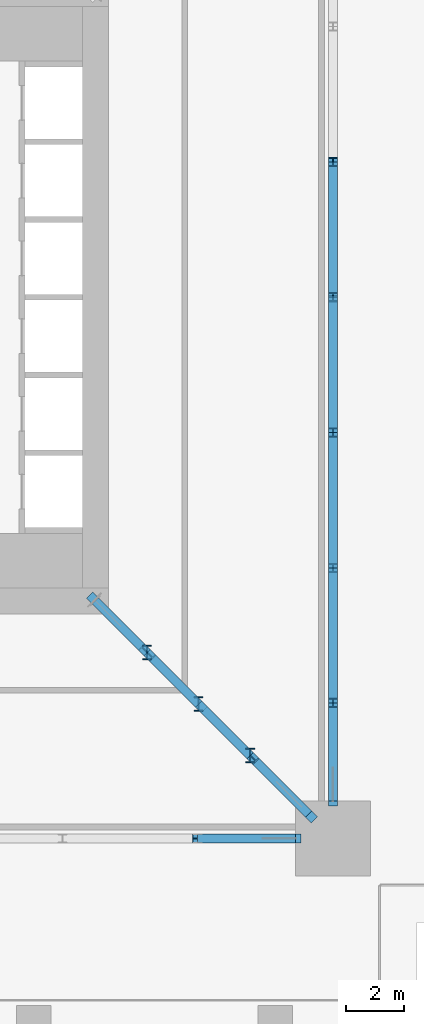
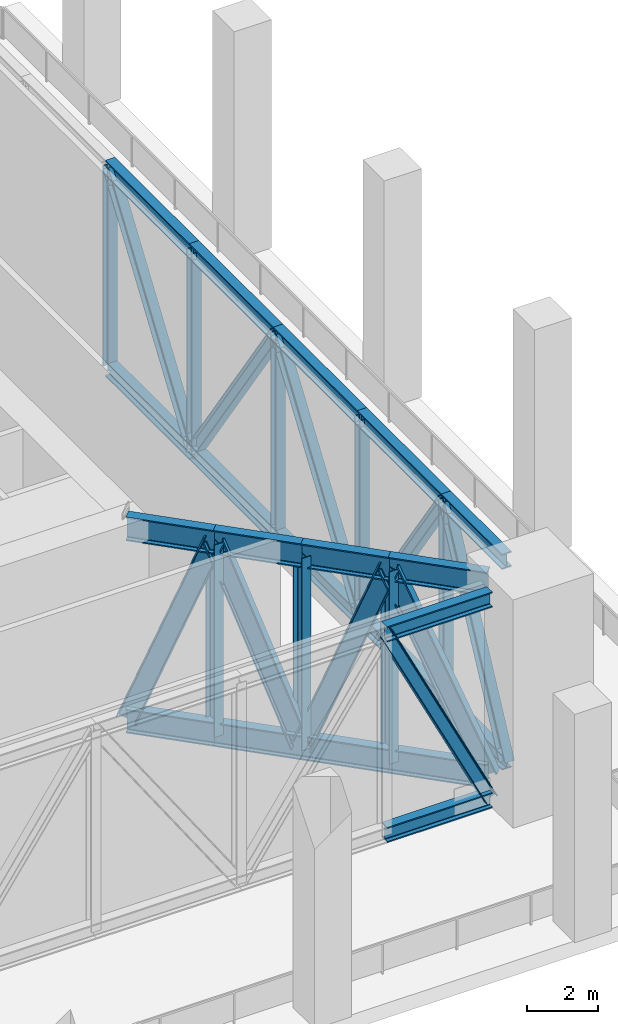
# One storey, part 3 of 17: 38 members.
"""IFC4 building model written with IfcOpenShell, lengths in metres."""

from ifc_helpers import new_model, si_unit, direction, frame, origin, origin_2d, place, context, subcontext, project, spatial, i_section, extrude, material, material_profile, profile_set, type_object, element, save


model = new_model("IFC4")

# Units and contexts
model_context = context("Model", 3, precision=1e-05, world=origin(), true_north=direction((0.0, 1.0)))
body_context = subcontext(model_context, "Body", "Model", "MODEL_VIEW")
ifc_project = project(units=[si_unit("LENGTHUNIT", "METRE"), si_unit("AREAUNIT", "SQUARE_METRE"), si_unit("VOLUMEUNIT", "CUBIC_METRE"), si_unit("PLANEANGLEUNIT", "RADIAN"), si_unit("MASSUNIT", "GRAM", prefix="KILO")], contexts=[model_context])

# Site, building, storey
site_placement = place(None, origin())
site = spatial("IfcSite", under=ifc_project, at=site_placement, CompositionType="ELEMENT")
building_placement = place(site_placement, origin())
building = spatial("IfcBuilding", under=site, at=building_placement, Name="Khepri Terraces", CompositionType="ELEMENT")
storey_placement = place(building_placement, frame((0.0, 0.0, 180.60009765625)))
storey = spatial("IfcBuildingStorey", under=building, at=storey_placement, Name="L43", CompositionType="ELEMENT", Elevation=180.60009765625)

# Members
ifc_material = material(Name="Steel S355", Category="steel")
ifc_material_profile_1 = material_profile(ifc_material, i_section(OverallWidth=0.305908203125, OverallDepth=0.52392578125, WebThickness=0.02099609375, FlangeThickness=0.0400390625, FilletRadius=0.027099609375, at=origin_2d()), Name="Steel S355", Category="steel")
ifc_profile_set_1 = profile_set([ifc_material_profile_1], Name="Steel S355")
member_type_1 = type_object("IfcMemberType", Name="Belt truss chord HEM 500", PredefinedType="CHORD", material=ifc_profile_set_1)
for number, where, z_axis, x_axis, name in (
    (1, (14.10009765625, -18.800048828125, 0.261962890625), (1.0, 0.0, 0.0), (0.0, 1.0, 0.0), "Belt truss chord BT-43-S bottom 8"),
    (2, (14.10009765625, -18.800048828125, 7.117919921875), (1.0, 0.0, 0.0), (0.0, 1.0, 0.0), "Belt truss chord BT-43-S top 8"),
    (3, (18.800048828125, -17.5, 0.261962890625), (0.0, 1.0, 0.0), (-1.0, 0.0, 0.0), "Belt truss chord BT-43-E bottom 1"),
    (4, (18.800048828125, -17.5, 7.117919921875), (0.0, 1.0, 0.0), (-1.0, 0.0, 0.0), "Belt truss chord BT-43-E top 1"),
):
    element("IfcMember", number, at=place(storey_placement, frame(where, z_axis=z_axis, x_axis=x_axis)), inside=storey, type_object=member_type_1, Name=name, PredefinedType="CHORD", context=body_context, shape_type="SweptSolid", body=[
        extrude(i_section(OverallWidth=0.305908203125, OverallDepth=0.52392578125, WebThickness=0.02099609375, FlangeThickness=0.0400390625, FilletRadius=0.027099609375, at=origin_2d()), origin(), (0.0, 0.0, 1.0), 3.39990234375),
    ])
for number, where, z_axis, x_axis, name in (
    (5, (18.800048828125, -14.10009765625, 0.261962890625), (0.0, 1.0, 0.0), (-1.0, 0.0, 0.0), "Belt truss chord BT-43-E bottom 2"),
    (6, (18.800048828125, -14.10009765625, 7.117919921875), (0.0, 1.0, 0.0), (-1.0, 0.0, 0.0), "Belt truss chord BT-43-E top 2"),
):
    element("IfcMember", number, at=place(storey_placement, frame(where, z_axis=z_axis, x_axis=x_axis)), inside=storey, type_object=member_type_1, Name=name, PredefinedType="CHORD", context=body_context, shape_type="SweptSolid", body=[
        extrude(i_section(OverallWidth=0.305908203125, OverallDepth=0.52392578125, WebThickness=0.02099609375, FlangeThickness=0.0400390625, FilletRadius=0.027099609375, at=origin_2d()), origin(), (0.0, 0.0, 1.0), 4.7001953125),
    ])
for number, where, z_axis, x_axis, name in (
    (7, (18.800048828125, -9.39990234375, 0.261962890625), (0.0, 1.0, 0.0), (-1.0, 0.0, 0.0), "Belt truss chord BT-43-E bottom 3"),
    (8, (18.800048828125, -9.39990234375, 7.117919921875), (0.0, 1.0, 0.0), (-1.0, 0.0, 0.0), "Belt truss chord BT-43-E top 3"),
    (9, (18.800048828125, -4.699951171875, 0.261962890625), (0.0, 1.0, 0.0), (-1.0, 0.0, 0.0), "Belt truss chord BT-43-E bottom 4"),
    (10, (18.800048828125, -4.699951171875, 7.117919921875), (0.0, 1.0, 0.0), (-1.0, 0.0, 0.0), "Belt truss chord BT-43-E top 4"),
    (11, (18.800048828125, 0.0, 0.261962890625), (0.0, 1.0, 0.0), (-1.0, 0.0, 0.0), "Belt truss chord BT-43-E bottom 5"),
    (12, (18.800048828125, 0.0, 7.117919921875), (0.0, 1.0, 0.0), (-1.0, 0.0, 0.0), "Belt truss chord BT-43-E top 5"),
):
    element("IfcMember", number, at=place(storey_placement, frame(where, z_axis=z_axis, x_axis=x_axis)), inside=storey, type_object=member_type_1, Name=name, PredefinedType="CHORD", context=body_context, shape_type="SweptSolid", body=[
        extrude(i_section(OverallWidth=0.305908203125, OverallDepth=0.52392578125, WebThickness=0.02099609375, FlangeThickness=0.0400390625, FilletRadius=0.027099609375, at=origin_2d()), origin(), (0.0, 0.0, 1.0), 4.699951171875),
    ])
ifc_material_profile_2 = material_profile(ifc_material, i_section(OverallWidth=0.300048828125, OverallDepth=0.39990234375, WebThickness=0.013427734375, FlangeThickness=0.02392578125, FilletRadius=0.027099609375, at=origin_2d()), Name="Steel S355", Category="steel")
ifc_profile_set_2 = profile_set([ifc_material_profile_2], Name="Steel S355")
member_type_2 = type_object("IfcMemberType", Name="Belt truss diagonal HEB 400", PredefinedType="BRACE", material=ifc_profile_set_2)
for number, where, z_axis, x_axis, name in (
    (13, (14.10009765625, -18.800048828125, 7.117919921875), (0.444276144924, 0.0, -0.895889896723), (0.0, 1.0, 0.0), "Belt truss diagonal BT-43-S 8"),
    (14, (18.800048828125, -17.5, 0.261962890625), (0.0, 0.444276144924, 0.895889896723), (-1.0, 0.0, 0.0), "Belt truss diagonal BT-43-E 1"),
):
    element("IfcMember", number, at=place(storey_placement, frame(where, z_axis=z_axis, x_axis=x_axis)), inside=storey, type_object=member_type_2, Name=name, PredefinedType="BRACE", context=body_context, shape_type="SweptSolid", body=[
        extrude(i_section(OverallWidth=0.300048828125, OverallDepth=0.39990234375, WebThickness=0.013427734375, FlangeThickness=0.02392578125, FilletRadius=0.027099609375, at=origin_2d()), origin(), (0.0, 0.0, 1.0), 7.652587890625),
    ])
member_1_placement = place(storey_placement, frame((18.800048828125, -14.10009765625, 7.117919921875), z_axis=(0.0, 0.565443877293, -0.824786773434), x_axis=(-1.0, 0.0, 0.0)))
element("IfcMember", 15, at=member_1_placement, inside=storey, type_object=member_type_2, Name="Belt truss diagonal BT-43-E 2", PredefinedType="BRACE", context=body_context, shape_type="SweptSolid", body=[
    extrude(i_section(OverallWidth=0.300048828125, OverallDepth=0.39990234375, WebThickness=0.013427734375, FlangeThickness=0.02392578125, FilletRadius=0.027099609375, at=origin_2d()), origin(), (0.0, 0.0, 1.0), 8.3125),
])
for number, where, z_axis, x_axis, name in (
    (16, (18.800048828125, -9.39990234375, 0.261962890625), (0.0, 0.565423896724, 0.824800471031), (-1.0, 0.0, 0.0), "Belt truss diagonal BT-43-E 3"),
    (17, (18.800048828125, -4.699951171875, 7.117919921875), (0.0, 0.565423896724, -0.824800471031), (-1.0, 0.0, 0.0), "Belt truss diagonal BT-43-E 4"),
    (18, (18.800048828125, 0.0, 0.261962890625), (0.0, 0.565423896724, 0.824800471031), (-1.0, 0.0, 0.0), "Belt truss diagonal BT-43-E 5"),
):
    element("IfcMember", number, at=place(storey_placement, frame(where, z_axis=z_axis, x_axis=x_axis)), inside=storey, type_object=member_type_2, Name=name, PredefinedType="BRACE", context=body_context, shape_type="SweptSolid", body=[
        extrude(i_section(OverallWidth=0.300048828125, OverallDepth=0.39990234375, WebThickness=0.013427734375, FlangeThickness=0.02392578125, FilletRadius=0.027099609375, at=origin_2d()), origin(), (0.0, 0.0, 1.0), 8.312255859375),
    ])
ifc_material_profile_3 = material_profile(ifc_material, i_section(OverallWidth=0.300048828125, OverallDepth=0.300048828125, WebThickness=0.010986328125, FlangeThickness=0.01904296875, FilletRadius=0.027099609375, at=origin_2d()), Name="Steel S355", Category="steel")
ifc_profile_set_3 = profile_set([ifc_material_profile_3], Name="Steel S355")
member_type_3 = type_object("IfcMemberType", Name="Belt truss post HEB 300", PredefinedType="POST", material=ifc_profile_set_3)
for number, where, z_axis, x_axis, name in (
    (19, (18.800048828125, -14.10009765625, 0.261962890625), (0.0, 0.0, 1.0), (1.0, 0.0, 0.0), "Belt truss post BT-43-E 1"),
    (20, (18.800048828125, -9.39990234375, 0.261962890625), (0.0, 0.0, 1.0), (1.0, 0.0, 0.0), "Belt truss post BT-43-E 2"),
    (21, (18.800048828125, -4.699951171875, 0.261962890625), (0.0, 0.0, 1.0), (1.0, 0.0, 0.0), "Belt truss post BT-43-E 3"),
    (22, (18.800048828125, 0.0, 0.261962890625), (0.0, 0.0, 1.0), (1.0, 0.0, 0.0), "Belt truss post BT-43-E 4"),
    (23, (18.800048828125, 4.699951171875, 0.261962890625), (0.0, 0.0, 1.0), (1.0, 0.0, 0.0), "Belt truss post BT-43-E 5"),
):
    element("IfcMember", number, at=place(storey_placement, frame(where, z_axis=z_axis, x_axis=x_axis)), inside=storey, type_object=member_type_3, Name=name, PredefinedType="POST", context=body_context, shape_type="SweptSolid", body=[
        extrude(i_section(OverallWidth=0.300048828125, OverallDepth=0.300048828125, WebThickness=0.010986328125, FlangeThickness=0.01904296875, FilletRadius=0.027099609375, at=origin_2d()), origin(), (0.0, 0.0, 1.0), 6.85595703125),
    ])
ifc_material_profile_4 = material_profile(ifc_material, i_section(OverallWidth=0.302978515625, OverallDepth=0.81396484375, WebThickness=0.02099609375, FlangeThickness=0.0400390625, FilletRadius=0.030029296875, at=origin_2d()), Name="Steel S355", Category="steel")
ifc_profile_set_4 = profile_set([ifc_material_profile_4], Name="Steel S355")
member_type_4 = type_object("IfcMemberType", Name="Outrigger chord HEM 800", PredefinedType="CHORD", material=ifc_profile_set_4)
for number, where, z_axis, x_axis, name in (
    (24, (10.550048828125, -10.550048828125, 0.406982421875), (0.707106781187, -0.707106781187, 0.0), (0.707106781187, 0.707106781187, 0.0), "Outrigger chord OT-43-ES bottom 1"),
    (25, (10.550048828125, -10.550048828125, 6.972900390625), (0.707106781187, -0.707106781187, 0.0), (0.707106781187, 0.707106781187, 0.0), "Outrigger chord OT-43-ES top 1"),
    (26, (12.340576171875, -12.340576171875, 0.406982421875), (0.707106781187, -0.707106781187, 0.0), (0.707106781187, 0.707106781187, 0.0), "Outrigger chord OT-43-ES bottom 2"),
    (27, (12.340576171875, -12.340576171875, 6.972900390625), (0.707106781187, -0.707106781187, 0.0), (0.707106781187, 0.707106781187, 0.0), "Outrigger chord OT-43-ES top 2"),
    (28, (14.131103515625, -14.131103515625, 0.406982421875), (0.707106781187, -0.707106781187, 0.0), (0.707106781187, 0.707106781187, 0.0), "Outrigger chord OT-43-ES bottom 3"),
    (29, (14.131103515625, -14.131103515625, 6.972900390625), (0.707106781187, -0.707106781187, 0.0), (0.707106781187, 0.707106781187, 0.0), "Outrigger chord OT-43-ES top 3"),
):
    element("IfcMember", number, at=place(storey_placement, frame(where, z_axis=z_axis, x_axis=x_axis)), inside=storey, type_object=member_type_4, Name=name, PredefinedType="CHORD", context=body_context, shape_type="SweptSolid", body=[
        extrude(i_section(OverallWidth=0.302978515625, OverallDepth=0.81396484375, WebThickness=0.02099609375, FlangeThickness=0.0400390625, FilletRadius=0.030029296875, at=origin_2d()), origin(), (0.0, 0.0, 1.0), 2.5322265625),
    ])
for number, where, z_axis, x_axis, name in (
    (30, (15.921630859375, -15.921630859375, 0.406982421875), (0.707106781187, -0.707106781187, 0.0), (0.707106781187, 0.707106781187, 0.0), "Outrigger chord OT-43-ES bottom 4"),
    (31, (15.921630859375, -15.921630859375, 6.972900390625), (0.707106781187, -0.707106781187, 0.0), (0.707106781187, 0.707106781187, 0.0), "Outrigger chord OT-43-ES top 4"),
):
    element("IfcMember", number, at=place(storey_placement, frame(where, z_axis=z_axis, x_axis=x_axis)), inside=storey, type_object=member_type_4, Name=name, PredefinedType="CHORD", context=body_context, shape_type="SweptSolid", body=[
        extrude(i_section(OverallWidth=0.302978515625, OverallDepth=0.81396484375, WebThickness=0.02099609375, FlangeThickness=0.0400390625, FilletRadius=0.030029296875, at=origin_2d()), origin(), (0.0, 0.0, 1.0), 2.87060546875),
    ])
ifc_material_profile_5 = material_profile(ifc_material, i_section(OverallWidth=0.304931640625, OverallDepth=0.6201171875, WebThickness=0.02099609375, FlangeThickness=0.0400390625, FilletRadius=0.027099609375, at=origin_2d()), Name="Steel S355", Category="steel")
ifc_profile_set_5 = profile_set([ifc_material_profile_5], Name="Steel S355")
member_type_5 = type_object("IfcMemberType", Name="Outrigger diagonal HEM 600", PredefinedType="BRACE", material=ifc_profile_set_5)
for number, where, z_axis, x_axis, name in (
    (32, (10.550048828125, -10.550048828125, 0.406982421875), (0.254434715173, -0.254434715173, 0.933019802271), (0.707106781187, 0.707106781187, 0.0), "Outrigger diagonal OT-43-ES 1"),
    (33, (12.340576171875, -12.340576171875, 6.972900390625), (0.254434715173, -0.254434715173, -0.933019802271), (0.707106781187, 0.707106781187, 0.0), "Outrigger diagonal OT-43-ES 2"),
    (34, (14.131103515625, -14.131103515625, 0.406982421875), (0.254434715173, -0.254434715173, 0.933019802271), (0.707106781187, 0.707106781187, 0.0), "Outrigger diagonal OT-43-ES 3"),
):
    element("IfcMember", number, at=place(storey_placement, frame(where, z_axis=z_axis, x_axis=x_axis)), inside=storey, type_object=member_type_5, Name=name, PredefinedType="BRACE", context=body_context, shape_type="SweptSolid", body=[
        extrude(i_section(OverallWidth=0.304931640625, OverallDepth=0.6201171875, WebThickness=0.02099609375, FlangeThickness=0.0400390625, FilletRadius=0.027099609375, at=origin_2d()), origin(), (0.0, 0.0, 1.0), 7.037353515625),
    ])
member_2_placement = place(storey_placement, frame((15.921630859375, -15.921630859375, 6.972900390625), z_axis=(0.283252796148, -0.283252796148, -0.916261811355), x_axis=(0.707106781187, 0.707106781187, 0.0)))
element("IfcMember", 35, at=member_2_placement, inside=storey, type_object=member_type_5, Name="Outrigger diagonal OT-43-ES 4", PredefinedType="BRACE", context=body_context, shape_type="SweptSolid", body=[
    extrude(i_section(OverallWidth=0.304931640625, OverallDepth=0.6201171875, WebThickness=0.02099609375, FlangeThickness=0.0400390625, FilletRadius=0.027099609375, at=origin_2d()), origin(), (0.0, 0.0, 1.0), 7.166015625),
])
ifc_material_profile_6 = material_profile(ifc_material, i_section(OverallWidth=0.300048828125, OverallDepth=0.5, WebThickness=0.014404296875, FlangeThickness=0.028076171875, FilletRadius=0.027099609375, at=origin_2d()), Name="Steel S355", Category="steel")
ifc_profile_set_6 = profile_set([ifc_material_profile_6], Name="Steel S355")
member_type_6 = type_object("IfcMemberType", Name="Outrigger post HEB 500", PredefinedType="POST", material=ifc_profile_set_6)
for number, where, z_axis, x_axis, name in (
    (36, (12.340576171875, -12.340576171875, 0.406982421875), (0.0, 0.0, 1.0), (1.0, 0.0, 0.0), "Outrigger post OT-43-ES 1"),
    (37, (14.131103515625, -14.131103515625, 0.406982421875), (0.0, 0.0, 1.0), (1.0, 0.0, 0.0), "Outrigger post OT-43-ES 2"),
    (38, (15.921630859375, -15.921630859375, 0.406982421875), (0.0, 0.0, 1.0), (1.0, 0.0, 0.0), "Outrigger post OT-43-ES 3"),
):
    element("IfcMember", number, at=place(storey_placement, frame(where, z_axis=z_axis, x_axis=x_axis)), inside=storey, type_object=member_type_6, Name=name, PredefinedType="POST", context=body_context, shape_type="SweptSolid", body=[
        extrude(i_section(OverallWidth=0.300048828125, OverallDepth=0.5, WebThickness=0.014404296875, FlangeThickness=0.028076171875, FilletRadius=0.027099609375, at=origin_2d()), origin(), (0.0, 0.0, 1.0), 6.56591796875),
    ])

save(model, "model.ifc")
